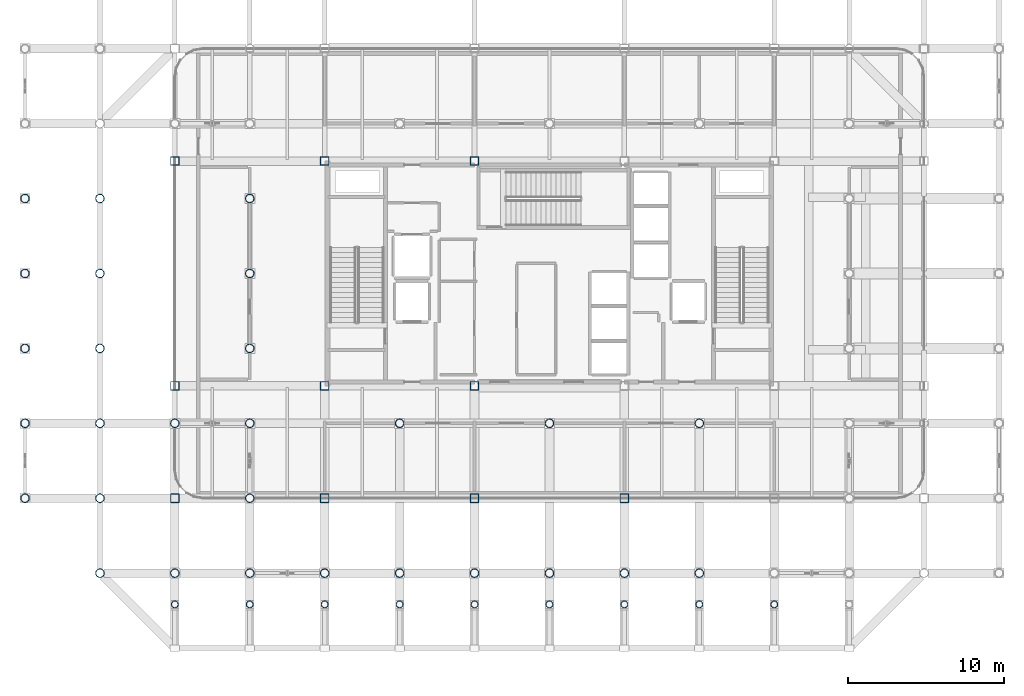
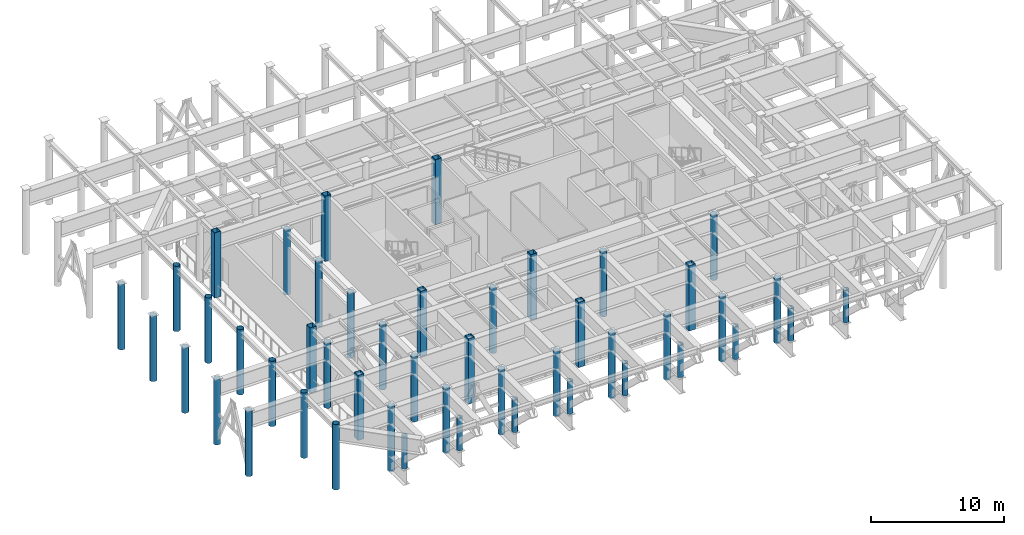
# One storey, part 1 of 20: 47 columns.
"""IFC4 building model written with IfcOpenShell, lengths in metres."""

from ifc_helpers import new_model, si_unit, direction, frame, origin, origin_2d, place, context, subcontext, project, spatial, hollow_rectangle, hollow_circle, extrude, material, material_profile, profile_set, type_object, element, save


model = new_model("IFC4")

# Units and contexts
model_context = context("Model", 3, precision=1e-05, world=origin(), true_north=direction((0.0, 1.0)))
body_context = subcontext(model_context, "Body", "Model", "MODEL_VIEW")
ifc_project = project(units=[si_unit("LENGTHUNIT", "METRE"), si_unit("AREAUNIT", "SQUARE_METRE"), si_unit("VOLUMEUNIT", "CUBIC_METRE"), si_unit("PLANEANGLEUNIT", "RADIAN"), si_unit("MASSUNIT", "GRAM", prefix="KILO")], contexts=[model_context])

# Site, building, storey
site_placement = place(None, origin())
site = spatial("IfcSite", under=ifc_project, at=site_placement, CompositionType="ELEMENT")
building_placement = place(site_placement, origin())
building = spatial("IfcBuilding", under=site, at=building_placement, Name="Kallvorn Hotel Tower", CompositionType="ELEMENT")
storey_placement = place(building_placement, frame((0.0, 0.0, 276.199951171875)))
storey = spatial("IfcBuildingStorey", under=building, at=storey_placement, Name="L69", CompositionType="ELEMENT", Elevation=276.199951171875)

# Columns
ifc_material_1 = material(Name="Structural steel S355J2H", Category="steel")
ifc_material_profile_1 = material_profile(ifc_material_1, hollow_circle(Radius=0.228515625, WallThickness=0.02001953125, at=origin_2d()), Name="CHS 457x20")
ifc_profile_set_1 = profile_set([ifc_material_profile_1], Name="Structural steel S355J2H")
column_type_1 = type_object("IfcColumnType", Name="COL_CHS_457", PredefinedType="COLUMN", material=ifc_profile_set_1)
for number, where, z_axis, x_axis, name in (
    (1, (-24.0, -21.199951171875, 1.400146484375), (0.0, 0.0, 1.0), (1.0, 0.0, 0.0), "L70 Cantilever Haunch Prop Column 01"),
    (2, (-19.199951171875, -21.199951171875, 1.400146484375), (0.0, 0.0, 1.0), (1.0, 0.0, 0.0), "L70 Cantilever Haunch Prop Column 02"),
    (3, (-14.39990234375, -21.199951171875, 1.400146484375), (0.0, 0.0, 1.0), (1.0, 0.0, 0.0), "L70 Cantilever Haunch Prop Column 03"),
    (4, (-9.60009765625, -21.199951171875, 1.400146484375), (0.0, 0.0, 1.0), (1.0, 0.0, 0.0), "L70 Cantilever Haunch Prop Column 04"),
    (5, (-4.800048828125, -21.199951171875, 1.400146484375), (0.0, 0.0, 1.0), (1.0, 0.0, 0.0), "L70 Cantilever Haunch Prop Column 05"),
    (6, (0.0, -21.199951171875, 1.400146484375), (0.0, 0.0, 1.0), (1.0, 0.0, 0.0), "L70 Cantilever Haunch Prop Column 06"),
    (7, (4.800048828125, -21.199951171875, 1.400146484375), (0.0, 0.0, 1.0), (1.0, 0.0, 0.0), "L70 Cantilever Haunch Prop Column 07"),
    (8, (9.60009765625, -21.199951171875, 1.400146484375), (0.0, 0.0, 1.0), (1.0, 0.0, 0.0), "L70 Cantilever Haunch Prop Column 08"),
    (9, (14.39990234375, -21.199951171875, 1.400146484375), (0.0, 0.0, 1.0), (1.0, 0.0, 0.0), "L70 Cantilever Haunch Prop Column 09"),
):
    element("IfcColumn", number, at=place(storey_placement, frame(where, z_axis=z_axis, x_axis=x_axis)), inside=storey, type_object=column_type_1, Name=name, PredefinedType="COLUMN", context=body_context, shape_type="SweptSolid", body=[
        extrude(hollow_circle(Radius=0.228515625, WallThickness=0.02001953125, at=origin_2d()), origin(), (0.0, 0.0, 1.0), 3.02001953125),
    ])
ifc_material_2 = material(Name="Structural steel S355J2H", Category="steel")
ifc_material_profile_2 = material_profile(ifc_material_2, hollow_circle(Radius=0.279541015625, WallThickness=0.02490234375, at=origin_2d()), Name="CHS 559x25")
ifc_profile_set_2 = profile_set([ifc_material_profile_2], Name="Structural steel S355J2H")
column_type_2 = type_object("IfcColumnType", Name="COL_CHS_559", PredefinedType="COLUMN", material=ifc_profile_set_2)
for number, where, z_axis, x_axis, name in (
    (10, (-33.60009765625, -14.39990234375, 0.0), (0.0, 0.0, 1.0), (1.0, 0.0, 0.0), "L69 Exoskeleton Column EC01"),
    (11, (-33.60009765625, -9.60009765625, 0.0), (0.0, 0.0, 1.0), (1.0, 0.0, 0.0), "L69 Exoskeleton Column EC02"),
    (12, (-33.60009765625, -4.800048828125, 0.0), (0.0, 0.0, 1.0), (1.0, 0.0, 0.0), "L69 Exoskeleton Column EC03"),
    (13, (-33.60009765625, 0.0, 0.0), (0.0, 0.0, 1.0), (1.0, 0.0, 0.0), "L69 Exoskeleton Column EC04"),
    (14, (-33.60009765625, 4.800048828125, 0.0), (0.0, 0.0, 1.0), (1.0, 0.0, 0.0), "L69 Exoskeleton Column EC05"),
    (15, (-28.800048828125, -19.199951171875, 0.0), (0.0, 0.0, 1.0), (1.0, 0.0, 0.0), "L69 Exoskeleton Column EC09"),
    (16, (-28.800048828125, -14.39990234375, 0.0), (0.0, 0.0, 1.0), (1.0, 0.0, 0.0), "L69 Exoskeleton Column EC10"),
    (17, (-28.800048828125, -9.60009765625, 0.0), (0.0, 0.0, 1.0), (1.0, 0.0, 0.0), "L69 Exoskeleton Column EC11"),
    (18, (-28.800048828125, -4.800048828125, 0.0), (0.0, 0.0, 1.0), (1.0, 0.0, 0.0), "L69 Exoskeleton Column EC12"),
    (19, (-28.800048828125, 0.0, 0.0), (0.0, 0.0, 1.0), (1.0, 0.0, 0.0), "L69 Exoskeleton Column EC13"),
    (20, (-28.800048828125, 4.800048828125, 0.0), (0.0, 0.0, 1.0), (1.0, 0.0, 0.0), "L69 Exoskeleton Column EC14"),
    (21, (-24.0, -19.199951171875, 0.0), (0.0, 0.0, 1.0), (1.0, 0.0, 0.0), "L69 Exoskeleton Column EC19"),
    (22, (-24.0, -9.60009765625, 0.0), (0.0, 0.0, 1.0), (1.0, 0.0, 0.0), "L69 Exoskeleton Column EC20"),
    (23, (-19.199951171875, -19.199951171875, 0.0), (0.0, 0.0, 1.0), (1.0, 0.0, 0.0), "L69 Exoskeleton Column EC24"),
    (24, (-19.199951171875, -14.39990234375, 0.0), (0.0, 0.0, 1.0), (1.0, 0.0, 0.0), "L69 Exoskeleton Column EC25"),
    (25, (-19.199951171875, -9.60009765625, 0.0), (0.0, 0.0, 1.0), (1.0, 0.0, 0.0), "L69 Exoskeleton Column EC26"),
    (26, (-19.199951171875, -4.800048828125, 0.0), (0.0, 0.0, 1.0), (1.0, 0.0, 0.0), "L69 Exoskeleton Column EC27"),
    (27, (-19.199951171875, 0.0, 0.0), (0.0, 0.0, 1.0), (1.0, 0.0, 0.0), "L69 Exoskeleton Column EC28"),
    (28, (-19.199951171875, 4.800048828125, 0.0), (0.0, 0.0, 1.0), (1.0, 0.0, 0.0), "L69 Exoskeleton Column EC29"),
    (29, (-14.39990234375, -19.199951171875, 0.0), (0.0, 0.0, 1.0), (1.0, 0.0, 0.0), "L69 Exoskeleton Column EC34"),
    (30, (-9.60009765625, -19.199951171875, 0.0), (0.0, 0.0, 1.0), (1.0, 0.0, 0.0), "L69 Exoskeleton Column EC37"),
    (31, (-9.60009765625, -9.60009765625, 0.0), (0.0, 0.0, 1.0), (1.0, 0.0, 0.0), "L69 Exoskeleton Column EC38"),
    (32, (-4.800048828125, -19.199951171875, 0.0), (0.0, 0.0, 1.0), (1.0, 0.0, 0.0), "L69 Exoskeleton Column EC42"),
    (33, (0.0, -19.199951171875, 0.0), (0.0, 0.0, 1.0), (1.0, 0.0, 0.0), "L69 Exoskeleton Column EC45"),
    (34, (0.0, -9.60009765625, 0.0), (0.0, 0.0, 1.0), (1.0, 0.0, 0.0), "L69 Exoskeleton Column EC46"),
    (35, (4.800048828125, -19.199951171875, 0.0), (0.0, 0.0, 1.0), (1.0, 0.0, 0.0), "L69 Exoskeleton Column EC50"),
    (36, (9.60009765625, -19.199951171875, 0.0), (0.0, 0.0, 1.0), (1.0, 0.0, 0.0), "L69 Exoskeleton Column EC53"),
    (37, (9.60009765625, -9.60009765625, 0.0), (0.0, 0.0, 1.0), (1.0, 0.0, 0.0), "L69 Exoskeleton Column EC54"),
):
    element("IfcColumn", number, at=place(storey_placement, frame(where, z_axis=z_axis, x_axis=x_axis)), inside=storey, type_object=column_type_2, Name=name, PredefinedType="COLUMN", context=body_context, shape_type="SweptSolid", body=[
        extrude(hollow_circle(Radius=0.279541015625, WallThickness=0.02490234375, at=origin_2d()), origin(), (0.0, 0.0, 1.0), 6.0),
    ])
ifc_material_3 = material(Name="Structural steel S355J2H", Category="steel")
ifc_material_profile_3 = material_profile(ifc_material_3, hollow_rectangle(XDim=0.550048828125, YDim=0.550048828125, WallThickness=0.02490234375, at=origin_2d()), Name="RHS 550x550x25")
ifc_profile_set_3 = profile_set([ifc_material_profile_3], Name="Structural steel S355J2H")
column_type_3 = type_object("IfcColumnType", Name="COL_RHS_550", PredefinedType="COLUMN", material=ifc_profile_set_3)
for number, where, z_axis, x_axis, name in (
    (38, (-24.0, -14.39990234375, 0.0), (0.0, 0.0, 1.0), (1.0, 0.0, 0.0), "L69 Inner Column IC01"),
    (39, (-24.0, -7.199951171875, 0.0), (0.0, 0.0, 1.0), (1.0, 0.0, 0.0), "L69 Inner Column IC02"),
    (40, (-24.0, 7.199951171875, 0.0), (0.0, 0.0, 1.0), (1.0, 0.0, 0.0), "L69 Inner Column IC03"),
    (41, (-14.39990234375, -14.39990234375, 0.0), (0.0, 0.0, 1.0), (1.0, 0.0, 0.0), "L69 Inner Column IC05"),
    (42, (-14.39990234375, -7.199951171875, 0.0), (0.0, 0.0, 1.0), (1.0, 0.0, 0.0), "L69 Inner Column IC06"),
    (43, (-14.39990234375, 7.199951171875, 0.0), (0.0, 0.0, 1.0), (1.0, 0.0, 0.0), "L69 Inner Column IC07"),
    (44, (-4.800048828125, -14.39990234375, 0.0), (0.0, 0.0, 1.0), (1.0, 0.0, 0.0), "L69 Inner Column IC09"),
    (45, (-4.800048828125, -7.199951171875, 0.0), (0.0, 0.0, 1.0), (1.0, 0.0, 0.0), "L69 Inner Column IC10"),
    (46, (-4.800048828125, 7.199951171875, 0.0), (0.0, 0.0, 1.0), (1.0, 0.0, 0.0), "L69 Inner Column IC11"),
    (47, (4.800048828125, -14.39990234375, 0.0), (0.0, 0.0, 1.0), (1.0, 0.0, 0.0), "L69 Inner Column IC13"),
):
    element("IfcColumn", number, at=place(storey_placement, frame(where, z_axis=z_axis, x_axis=x_axis)), inside=storey, type_object=column_type_3, Name=name, PredefinedType="COLUMN", context=body_context, shape_type="SweptSolid", body=[
        extrude(hollow_rectangle(XDim=0.550048828125, YDim=0.550048828125, WallThickness=0.02490234375, at=origin_2d()), origin(), (0.0, 0.0, 1.0), 6.0),
    ])

save(model, "model.ifc")
